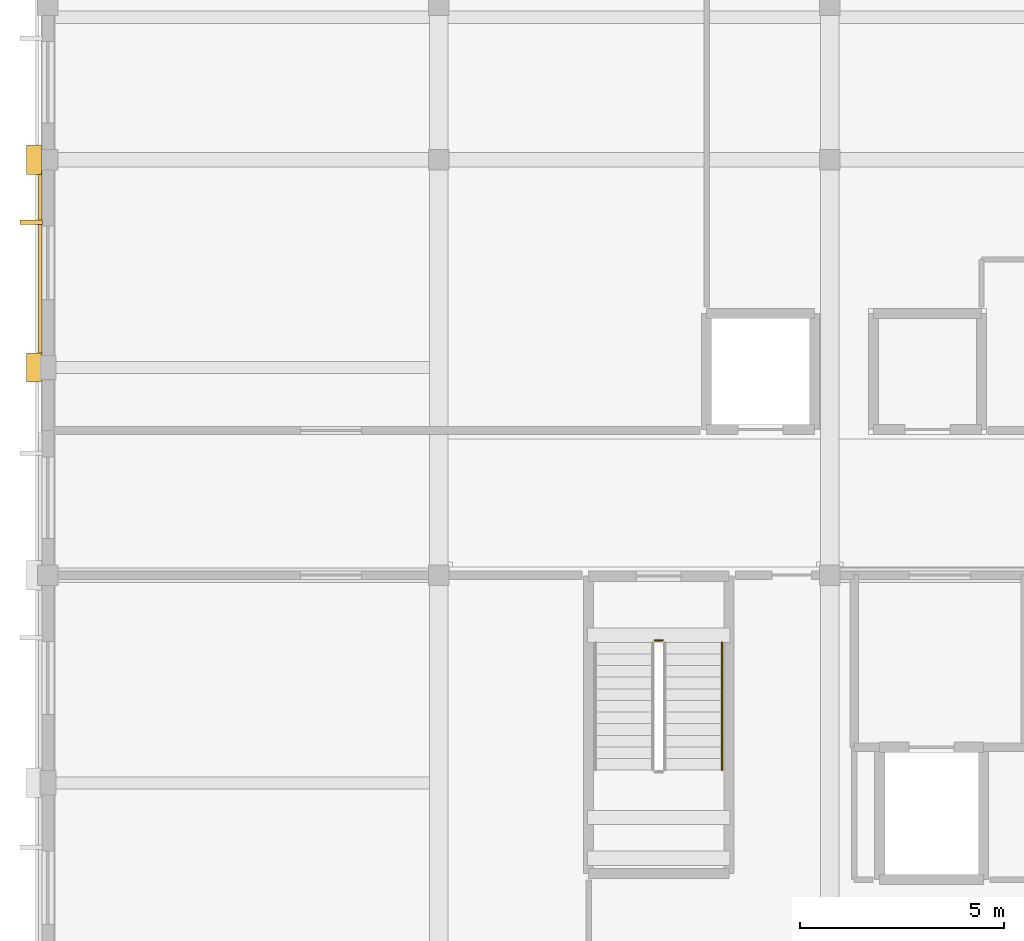
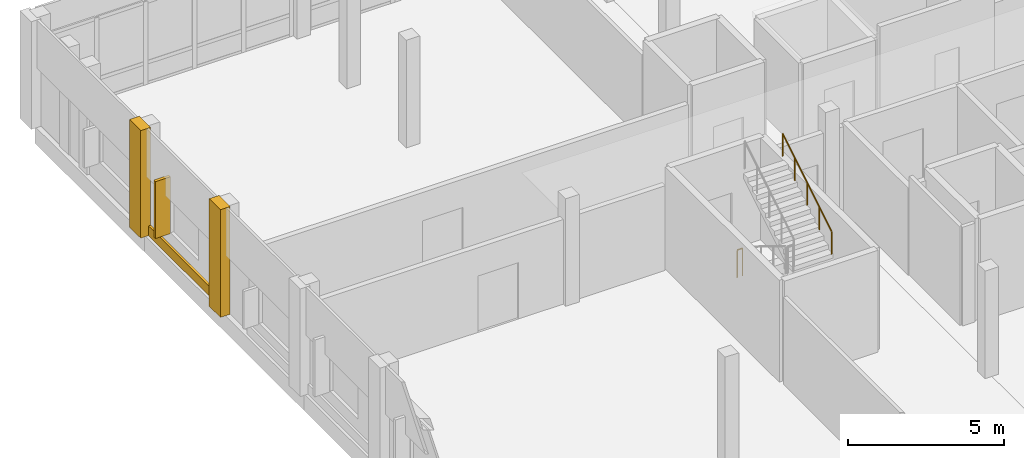
# One storey, part 26 of 29: 3 coverings, 2 railings, 1 shading device.
"""IFC4 building model written with IfcOpenShell, lengths in metres."""

from ifc_helpers import new_model, si_unit, direction, frame, origin, origin_2d, place, context, subcontext, project, spatial, rectangle, circle, extrude, material, layer, layer_set, type_object, element, save


model = new_model("IFC4")

# Units and contexts
model_context = context("Model", 3, precision=1e-05, world=origin(), true_north=direction((0.0, 1.0)))
body_context = subcontext(model_context, "Body", "Model", "MODEL_VIEW")
ifc_project = project(units=[si_unit("LENGTHUNIT", "METRE"), si_unit("AREAUNIT", "SQUARE_METRE"), si_unit("VOLUMEUNIT", "CUBIC_METRE"), si_unit("PLANEANGLEUNIT", "RADIAN"), si_unit("MASSUNIT", "GRAM", prefix="KILO")], contexts=[model_context])

# Site, building, storey
site_placement = place(None, origin())
site = spatial("IfcSite", under=ifc_project, at=site_placement, CompositionType="ELEMENT")
building_placement = place(site_placement, origin())
building = spatial("IfcBuilding", under=site, at=building_placement, Name="Vondelvale Polytechnic", CompositionType="ELEMENT")
storey_placement = place(building_placement, frame((0.0, 0.0, 26.39990234375)))
storey = spatial("IfcBuildingStorey", under=building, at=storey_placement, Name="L06", CompositionType="ELEMENT", Elevation=26.39990234375)

# Coverings
ifc_material_1 = material(Name="Amsterdam School iron-spot clinker clay brickwork", Category="masonry")
ifc_layer_1 = layer(ifc_material_1, 0.090087890625)
ifc_layer_set_1 = layer_set([ifc_layer_1], Name="COV-BRICK-RELIEF")
covering_type = type_object("IfcCoveringType", Name="COV-BRICK-RELIEF", PredefinedType="CLADDING", material=ifc_layer_set_1)
covering_placement = place(storey_placement, frame((-0.19091796875, 28.074951171875, 0.000244140625), z_axis=(0.0, 0.0, 1.0), x_axis=(0.0, 1.0, 0.0)))
element("IfcCovering", 1, at=covering_placement, inside=storey, type_object=covering_type, Name="L06 exterior corbelled masonry relief band", PredefinedType="CLADDING", context=body_context, shape_type="SweptSolid", body=[
    extrude(rectangle(XDim=4.488037109375, YDim=0.090087890625, at=origin_2d()), origin(), (0.0, 0.0, 1.0), 0.3798828125),
])
for number, where, z_axis, x_axis, name in (
    (2, (-0.340087890625, 25.5, 0.0), (0.0, 0.0, 1.0), (1.0, 0.0, 0.0), "L06 Classical street pilaster"),
    (3, (-0.340087890625, 30.60009765625, 0.0), (0.0, 0.0, 1.0), (1.0, 0.0, 0.0), "L06 Classical street pilaster"),
):
    element("IfcCovering", number, at=place(storey_placement, frame(where, z_axis=z_axis, x_axis=x_axis)), inside=storey, type_object=covering_type, Name=name, PredefinedType="CLADDING", context=body_context, shape_type="SweptSolid", body=[
        extrude(rectangle(XDim=0.360107421875, YDim=0.719970703125, at=origin_2d()), origin(), (0.0, 0.0, 1.0), 4.199951171875),
    ])

# Railings
ifc_material_2 = material(Name="Brushed architectural stainless and zinc-coated metal")
ifc_layer_2 = layer(ifc_material_2, 0.050048828125)
ifc_layer_set_2 = layer_set([ifc_layer_2], Name="RL-STAIR-GUARD")
railing_type_1 = type_object("IfcRailingType", Name="RL-STAIR-GUARD", PredefinedType="GUARDRAIL", material=ifc_layer_set_2)
railing_1_placement = place(storey_placement, frame((14.89990234375, 18.800048828125, 0.0)))
element("IfcRailing", 4, at=railing_1_placement, inside=storey, type_object=railing_type_1, Name="L06 ST-03 stair guard 4", PredefinedType="GUARDRAIL", context=body_context, shape_type="SweptSolid", body=[
    extrude(circle(Radius=0.02392578125, at=origin_2d()), frame((0.0, 0.0, 1.076171875), z_axis=(1.0, 0.0, 0.0), x_axis=(0.0, 1.0, 0.0)), (0.0, 0.0, 1.0), 0.2001953125),
    extrude(circle(Radius=0.02099609375, at=origin_2d()), origin(), (0.0, 0.0, 1.0), 1.052001953125),
    extrude(circle(Radius=0.02099609375, at=origin_2d()), frame((0.2001953125, 0.0, 0.0)), (0.0, 0.0, 1.0), 1.052001953125),
])
ifc_layer_3 = layer(ifc_material_2, 0.048095703125)
ifc_layer_set_3 = layer_set([ifc_layer_3], Name="RL-STAIR-HANDRAIL")
railing_type_2 = type_object("IfcRailingType", Name="RL-STAIR-HANDRAIL", PredefinedType="HANDRAIL", material=ifc_layer_set_3)
railing_2_placement = place(storey_placement, frame((16.550048828125, 15.614990234375, 2.275146484375)))
element("IfcRailing", 5, at=railing_2_placement, inside=storey, type_object=railing_type_2, Name="L06 ST-03 stair handrail 2", PredefinedType="HANDRAIL", context=body_context, shape_type="SweptSolid", body=[
    extrude(circle(Radius=0.02392578125, at=origin_2d()), frame((0.0, 0.0, 0.8759765625), z_axis=(0.0, 0.852166034122, 0.523271488128), x_axis=(-1.0, 0.0, 0.0)), (0.0, 0.0, 1.0), 3.678955078125),
    extrude(circle(Radius=0.02099609375, at=origin_2d()), origin(), (0.0, 0.0, 1.0), 0.851806640625),
    extrude(circle(Radius=0.02099609375, at=origin_2d()), frame((0.0, 0.78369140625, 0.481201171875)), (0.0, 0.0, 1.0), 0.851806640625),
    extrude(circle(Radius=0.02099609375, at=origin_2d()), frame((0.0, 1.5673828125, 0.96240234375)), (0.0, 0.0, 1.0), 0.851806640625),
    extrude(circle(Radius=0.02099609375, at=origin_2d()), frame((0.0, 2.351318359375, 1.44384765625)), (0.0, 0.0, 1.0), 0.851806640625),
    extrude(circle(Radius=0.02099609375, at=origin_2d()), frame((0.0, 3.135009765625, 1.925048828125)), (0.0, 0.0, 1.0), 0.851806640625),
])

# Shading device
ifc_material_3 = material(Name="Kiln-fired architectural terracotta", Category="masonry")
shading_device_type = type_object("IfcShadingDeviceType", Name="SHD-TERRA-FIN-550", PredefinedType="JALOUSIE", material=ifc_material_3)
shading_device_placement = place(storey_placement, frame((-0.409912109375, 29.06494140625, 0.7900390625), z_axis=(0.0, 0.0, 1.0), x_axis=(0.0, 1.0, 0.0)))
element("IfcShadingDevice", 6, at=shading_device_placement, inside=storey, type_object=shading_device_type, Name="L06 vertical terracotta solar fin", PredefinedType="JALOUSIE", context=body_context, shape_type="SweptSolid", body=[
    extrude(rectangle(XDim=0.110107421875, YDim=0.550048828125, at=origin_2d()), origin(), (0.0, 0.0, 1.0), 2.219970703125),
])

save(model, "model.ifc")
